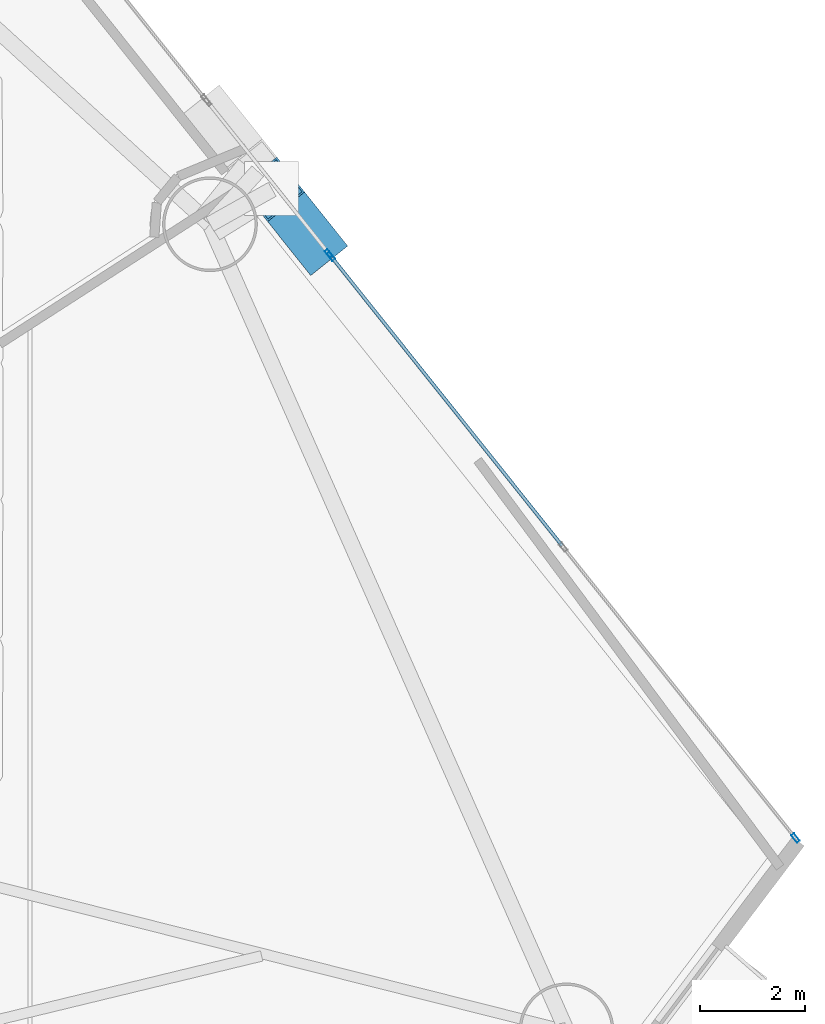
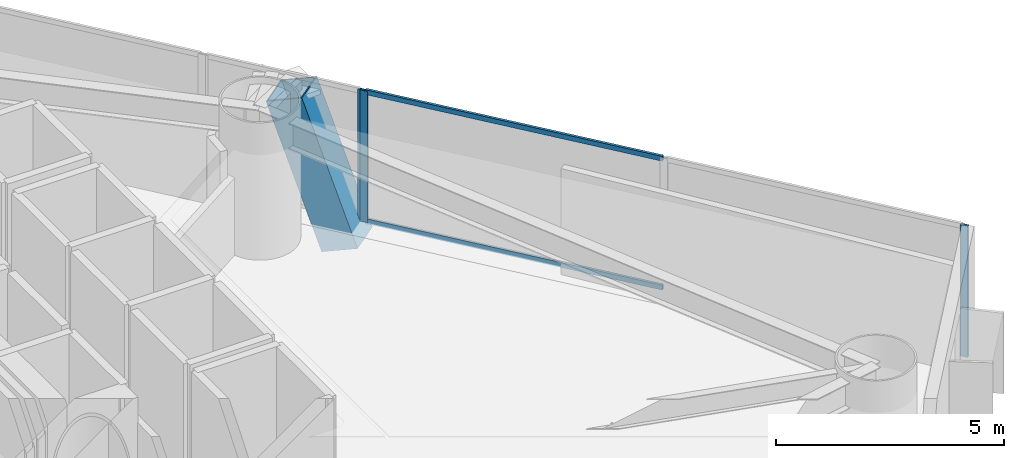
# One storey, part 14 of 23: 6 members, 2 elements without a shape of their own.
"""IFC4 building model written with IfcOpenShell, lengths in metres."""

from ifc_helpers import new_model, si_unit, direction, frame, origin, origin_2d, place, context, subcontext, project, spatial, hollow_rectangle, extrude, material, layer, layer_set, material_profile, profile_set, type_object, element, aggregate, save


model = new_model("IFC4")

# Units and contexts
model_context = context("Model", 3, precision=1e-05, world=origin(), true_north=direction((0.0, 1.0)))
body_context = subcontext(model_context, "Body", "Model", "MODEL_VIEW")
ifc_project = project(units=[si_unit("LENGTHUNIT", "METRE"), si_unit("AREAUNIT", "SQUARE_METRE"), si_unit("VOLUMEUNIT", "CUBIC_METRE"), si_unit("PLANEANGLEUNIT", "RADIAN"), si_unit("MASSUNIT", "GRAM", prefix="KILO")], contexts=[model_context])

# Site, building, storey
site_placement = place(None, origin())
site = spatial("IfcSite", under=ifc_project, at=site_placement, CompositionType="ELEMENT")
building_placement = place(site_placement, origin())
building = spatial("IfcBuilding", under=site, at=building_placement, Name="Qianvela Tower", CompositionType="ELEMENT")
storey_placement = place(building_placement, frame((0.0, 0.0, 36.800048828125)))
storey = spatial("IfcBuildingStorey", under=building, at=storey_placement, Name="L08", CompositionType="ELEMENT", Elevation=36.800048828125)

# Curtain wall, member
ifc_material_1 = material(Name="Anodised Architectural Aluminium and Insulated Spandrel Panel", Category="aluminium")
ifc_layer_1 = layer(ifc_material_1, 0.179931640625)
ifc_layer_set_1 = layer_set([ifc_layer_1], Name="Anodised Architectural Aluminium and Insulated Spandrel Panel")
curtain_wall_type_1 = type_object("IfcCurtainWallType", Name="CW-BRACEBAY", PredefinedType="USERDEFINED", material=ifc_layer_set_1)
curtain_wall_1_placement = place(storey_placement, origin())
curtain_wall_1 = element("IfcCurtainWall", 1, at=curtain_wall_1_placement, inside=storey, type_object=curtain_wall_type_1, Name="L08 CW-BRACEBAY Curtain Wall 02B", ObjectType="CURTAIN_WALL_SYSTEM", PredefinedType="USERDEFINED")
ifc_material_2 = material(Name="Anodised Architectural Aluminium 6063-T6", Category="aluminium")
ifc_material_profile_1 = material_profile(ifc_material_2, hollow_rectangle(XDim=0.06494140625, YDim=0.159912109375, WallThickness=0.0048828125, at=origin_2d()), Name="ALU-MULL-65x160")
ifc_profile_set_1 = profile_set([ifc_material_profile_1], Name="Anodised Architectural Aluminium 6063-T6")
member_type_1 = type_object("IfcMemberType", Name="CW-BRACEBAY-MULL", PredefinedType="MULLION", material=ifc_profile_set_1)
member_1_placement = place(storey_placement, frame((49.992919921875, 32.0830078125, 0.0), z_axis=(0.0, 0.0, 1.0), x_axis=(-0.781443440577, -0.623976080614, 0.0)))
member_1 = element("IfcMember", 2, at=member_1_placement, type_object=member_type_1, Name="CW-9 mullion 1", PredefinedType="MULLION", context=body_context, shape_type="SweptSolid", body=[
    extrude(hollow_rectangle(XDim=0.06494140625, YDim=0.159912109375, WallThickness=0.0048828125, at=origin_2d()), origin(), (0.0, 0.0, 1.0), 3.52001953125),
])
aggregate(curtain_wall_1, [member_1])

# Curtain wall, members
ifc_material_3 = material(Name="Anodised Architectural Aluminium and Low-E Glass", Category="aluminium")
ifc_layer_2 = layer(ifc_material_3, 0.179931640625)
ifc_layer_set_2 = layer_set([ifc_layer_2], Name="Anodised Architectural Aluminium and Low-E Glass")
curtain_wall_type_2 = type_object("IfcCurtainWallType", Name="CW-COLIV-Z12", PredefinedType="USERDEFINED", material=ifc_layer_set_2)
curtain_wall_2_placement = place(storey_placement, origin())
curtain_wall_2 = element("IfcCurtainWall", 3, at=curtain_wall_2_placement, inside=storey, type_object=curtain_wall_type_2, Name="L08 CW-COLIV-Z12 Curtain Wall 02A", ObjectType="CURTAIN_WALL_SYSTEM", PredefinedType="USERDEFINED")
ifc_material_4 = material(Name="Anodised Architectural Aluminium 6063-T6", Category="aluminium")
ifc_material_profile_2 = material_profile(ifc_material_4, hollow_rectangle(XDim=0.070068359375, YDim=0.179931640625, WallThickness=0.0048828125, at=origin_2d()), Name="ALU-MULL-70x180")
ifc_profile_set_2 = profile_set([ifc_material_profile_2], Name="Anodised Architectural Aluminium 6063-T6")
member_type_2 = type_object("IfcMemberType", Name="CW-COLIV-Z12-MULL", PredefinedType="MULLION", material=ifc_profile_set_2)
member_2_placement = place(storey_placement, frame((58.8642578125, 20.97265625, 0.0), z_axis=(0.0, 0.0, 1.0), x_axis=(-0.781444103238, -0.623975250722, 0.0)))
member_2 = element("IfcMember", 4, at=member_2_placement, type_object=member_type_2, Name="CW-3 mullion 1", PredefinedType="MULLION", context=body_context, shape_type="SweptSolid", body=[
    extrude(hollow_rectangle(XDim=0.070068359375, YDim=0.179931640625, WallThickness=0.0048828125, at=origin_2d()), origin(), (0.0, 0.0, 1.0), 3.52001953125),
])
member_3_placement = place(storey_placement, frame((50.03515625, 32.030029296875, 0.0), z_axis=(0.0, 0.0, 1.0), x_axis=(-0.781444103238, -0.623975250722, 0.0)))
member_3 = element("IfcMember", 5, at=member_3_placement, type_object=member_type_2, Name="CW-3 mullion 3", PredefinedType="MULLION", context=body_context, shape_type="SweptSolid", body=[
    extrude(hollow_rectangle(XDim=0.070068359375, YDim=0.179931640625, WallThickness=0.0048828125, at=origin_2d()), origin(), (0.0, 0.0, 1.0), 3.52001953125),
])
ifc_material_5 = material(Name="Anodised Architectural Aluminium 6063-T6", Category="aluminium")
ifc_material_profile_3 = material_profile(ifc_material_5, hollow_rectangle(XDim=0.06494140625, YDim=0.1298828125, WallThickness=0.00439453125, at=origin_2d()), Name="ALU-TRAN-65x130")
ifc_profile_set_3 = profile_set([ifc_material_profile_3], Name="Anodised Architectural Aluminium 6063-T6")
member_type_3 = type_object("IfcMemberType", Name="CW-COLIV-Z12-TRAN", PredefinedType="USERDEFINED", material=ifc_profile_set_3)
member_4_placement = place(storey_placement, frame((54.427978515625, 26.52880859375, 0.032470703125), z_axis=(-0.623997750239, 0.78142613707, 0.0), x_axis=(-0.78142613707, -0.623997750239, 0.0)))
member_4 = element("IfcMember", 6, at=member_4_placement, type_object=member_type_3, Name="CW-3 transom 2.1", ObjectType="TRANSOM", PredefinedType="USERDEFINED", context=body_context, shape_type="SweptSolid", body=[
    extrude(hollow_rectangle(XDim=0.06494140625, YDim=0.1298828125, WallThickness=0.00439453125, at=origin_2d()), origin(), (0.0, 0.0, 1.0), 7.0048828125),
])
member_5_placement = place(storey_placement, frame((54.427978515625, 26.52880859375, 3.487548828125), z_axis=(-0.623997750239, 0.78142613707, 0.0), x_axis=(-0.78142613707, -0.623997750239, 0.0)))
member_5 = element("IfcMember", 7, at=member_5_placement, type_object=member_type_3, Name="CW-3 transom 2.2", ObjectType="TRANSOM", PredefinedType="USERDEFINED", context=body_context, shape_type="SweptSolid", body=[
    extrude(hollow_rectangle(XDim=0.06494140625, YDim=0.1298828125, WallThickness=0.00439453125, at=origin_2d()), origin(), (0.0, 0.0, 1.0), 7.0048828125),
])
aggregate(curtain_wall_2, [member_2, member_3, member_4, member_5])

# Member
ifc_material_6 = material(Name="Steel Q420GJC", Category="steel")
ifc_material_profile_4 = material_profile(ifc_material_6, hollow_rectangle(XDim=0.89990234375, YDim=0.89990234375, WallThickness=0.035888671875, at=origin_2d()), Name="MBOX-900x900x36")
ifc_profile_set_4 = profile_set([ifc_material_profile_4], Name="Steel Q420GJC")
member_type_4 = type_object("IfcMemberType", Name="MBR-MBRACE-900", PredefinedType="BRACE", material=ifc_profile_set_4)
member_6_placement = place(storey_placement, frame((49.73779296875, 32.274169921875, -0.531982421875), z_axis=(-0.208636026651, 0.261308072724, 0.942437849151), x_axis=(-0.781467199739, -0.623946324399, 0.0)))
element("IfcMember", 8, at=member_6_placement, inside=storey, type_object=member_type_4, Name="L08 Tier 1 Exterior Mega-Brace F1A", PredefinedType="BRACE", context=body_context, shape_type="SweptSolid", body=[
    extrude(hollow_rectangle(XDim=0.89990234375, YDim=0.89990234375, WallThickness=0.035888671875, at=origin_2d()), origin(), (0.0, 0.0, 1.0), 3.926025390625),
])

save(model, "model.ifc")
